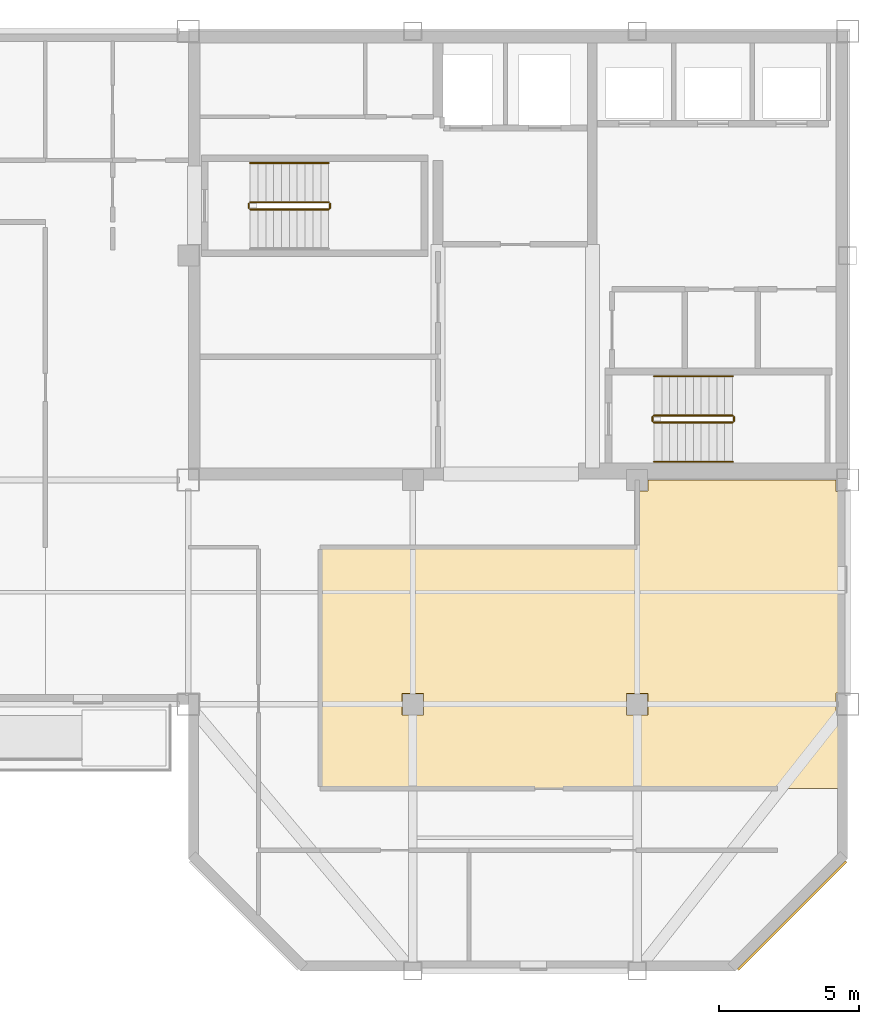
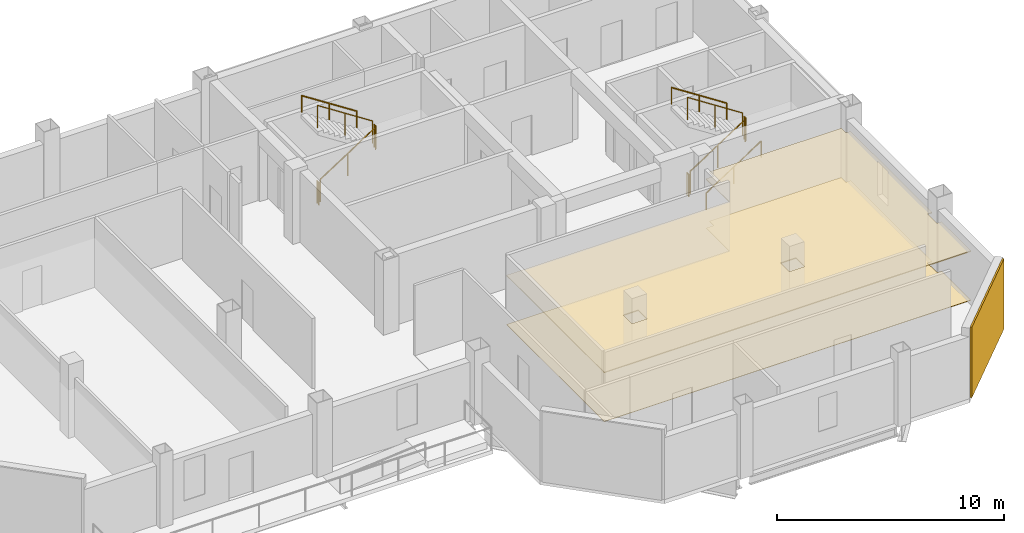
# One storey, part 6 of 7: 11 railings, 3 coverings.
"""IFC4 building model written with IfcOpenShell, lengths in metres."""

from ifc_helpers import new_model, si_unit, direction, frame, origin, origin_2d, place, context, subcontext, project, spatial, polyline, rectangle, circle, outline, extrude, material, layer, layer_set, type_object, element, save


model = new_model("IFC4")

# Units and contexts
model_context = context("Model", 3, precision=1e-05, world=origin(), true_north=direction((0.0, 1.0)))
body_context = subcontext(model_context, "Body", "Model", "MODEL_VIEW")
ifc_project = project(units=[si_unit("LENGTHUNIT", "METRE"), si_unit("AREAUNIT", "SQUARE_METRE"), si_unit("VOLUMEUNIT", "CUBIC_METRE"), si_unit("PLANEANGLEUNIT", "RADIAN"), si_unit("MASSUNIT", "GRAM", prefix="KILO")], contexts=[model_context])

# Site, building, storey
site_placement = place(None, origin())
site = spatial("IfcSite", under=ifc_project, at=site_placement, CompositionType="ELEMENT")
building_placement = place(site_placement, origin())
building = spatial("IfcBuilding", under=site, at=building_placement, Name="Qianrong Seaharbour Tower", CompositionType="ELEMENT")
storey_placement = place(building_placement, frame((0.0, 0.0, 323.199951171875)))
storey = spatial("IfcBuildingStorey", under=building, at=storey_placement, Name="L78", CompositionType="ELEMENT", Elevation=323.199951171875)

# Coverings
ifc_material_1 = material(Name="Perforated acoustic gypsum ceiling board")
ifc_layer_1 = layer(ifc_material_1, 0.050048828125)
ifc_layer_set_1 = layer_set([ifc_layer_1], Name="Perforated acoustic gypsum ceiling board")
covering_type_1 = type_object("IfcCoveringType", Name="COV-CEIL-GYPSUM-50", PredefinedType="CEILING", material=ifc_layer_set_1)
covering_1_placement = place(storey_placement, frame((0.0, 0.0, 2.614990234375)))
element("IfcCovering", 1, at=covering_1_placement, inside=storey, type_object=covering_type_1, Name="L78 Staff Club Assembly Hall Acoustic Ceiling", PredefinedType="CEILING", context=body_context, shape_type="SweptSolid", body=[
    extrude(outline(polyline([(56.5, 33.60009765625), (56.5, 35.614990234375), (56.885009765625, 35.614990234375), (56.885009765625, 36.0), (63.590087890625, 36.0), (63.590087890625, 35.590087890625), (63.824951171875, 35.590087890625), (63.824951171875, 28.409912109375), (63.590087890625, 28.409912109375), (63.590087890625, 27.590087890625), (63.824951171875, 27.590087890625), (63.824951171875, 25.0), (45.199951171875, 25.0), (45.199951171875, 33.60009765625), (56.5, 33.60009765625)]), holes=[polyline([(56.885009765625, 27.614990234375), (56.885009765625, 28.385009765625), (56.114990234375, 28.385009765625), (56.114990234375, 27.614990234375), (56.885009765625, 27.614990234375)]), polyline([(48.885009765625, 28.385009765625), (48.114990234375, 28.385009765625), (48.114990234375, 27.614990234375), (48.885009765625, 27.614990234375), (48.885009765625, 28.385009765625)])]), origin(), (0.0, 0.0, 1.0), 0.050048828125),
])
ifc_material_2 = material(Name="Unitised red brick cladding on Precast concrete C45/55", Category="masonry")
ifc_layer_2 = layer(ifc_material_2, 0.080078125)
ifc_layer_set_2 = layer_set([ifc_layer_2], Name="Unitised red brick cladding on Precast concrete C45/55")
covering_type_2 = type_object("IfcCoveringType", Name="COV-CLAD-RED-BRICK-80", PredefinedType="CLADDING", material=ifc_layer_set_2)
covering_2_placement = place(storey_placement, frame((62.0283203125, 20.4716796875, 0.0), z_axis=(0.0, 0.0, 1.0), x_axis=(-0.707106781187, -0.707106781187, 0.0)))
element("IfcCovering", 2, at=covering_2_placement, inside=storey, type_object=covering_type_2, Name="L78 Chamfer Corner Brick Cladding 07", PredefinedType="CLADDING", context=body_context, shape_type="SweptSolid", body=[
    extrude(rectangle(XDim=5.456787109375, YDim=0.080078125, at=origin_2d()), origin(), (0.0, 0.0, 1.0), 3.784912109375),
])
ifc_material_3 = material(Name="Acoustic modular carpet tile flooring")
ifc_layer_3 = layer(ifc_material_3, 0.02001953125)
ifc_layer_set_3 = layer_set([ifc_layer_3], Name="Acoustic modular carpet tile flooring")
covering_type_3 = type_object("IfcCoveringType", Name="COV-FLOOR-CARPET-20", PredefinedType="FLOORING", material=ifc_layer_set_3)
covering_3_placement = place(storey_placement, origin())
element("IfcCovering", 3, at=covering_3_placement, inside=storey, type_object=covering_type_3, Name="L78 Staff Club Assembly Hall Finish Flooring", PredefinedType="FLOORING", context=body_context, shape_type="SweptSolid", body=[
    extrude(outline(polyline([(56.5, 33.60009765625), (56.5, 35.614990234375), (56.885009765625, 35.614990234375), (56.885009765625, 36.0), (63.590087890625, 36.0), (63.590087890625, 35.590087890625), (63.824951171875, 35.590087890625), (63.824951171875, 28.409912109375), (63.590087890625, 28.409912109375), (63.590087890625, 27.590087890625), (63.824951171875, 27.590087890625), (63.824951171875, 25.0), (45.199951171875, 25.0), (45.199951171875, 33.60009765625), (56.5, 33.60009765625)])), origin(), (0.0, 0.0, 1.0), 0.02001953125),
])

# Railings
ifc_material_4 = material(Name="Galvanized painted steel SN400B stair guard", Category="steel")
railing_type_1 = type_object("IfcRailingType", Name="RAIL-STAIR-GUARD-1220", PredefinedType="GUARDRAIL", material=ifc_material_4)
railing_1_placement = place(storey_placement, frame((42.699951171875, 45.64990234375, 0.181884765625)))
element("IfcRailing", 4, at=railing_1_placement, inside=storey, type_object=railing_type_1, Name="L78 ST-1 stair guard 1", PredefinedType="GUARDRAIL", context=body_context, shape_type="SweptSolid", body=[
    extrude(circle(Radius=0.02392578125, at=origin_2d()), frame((0.0, 0.0, 1.19580078125), z_axis=(0.838705829183, 0.0, 0.544584733623), x_axis=(0.0, 1.0, 0.0)), (0.0, 0.0, 1.0), 3.338623046875),
    extrude(circle(Radius=0.02099609375, at=origin_2d()), origin(), (0.0, 0.0, 1.0), 1.171875),
    extrude(circle(Radius=0.02099609375, at=origin_2d()), frame((1.39990234375, 0.0, 0.9091796875)), (0.0, 0.0, 1.0), 1.171875),
    extrude(circle(Radius=0.02099609375, at=origin_2d()), frame((2.800048828125, 0.0, 1.818115234375)), (0.0, 0.0, 1.0), 1.171875),
])
railing_2_placement = place(storey_placement, frame((45.550048828125, 45.699951171875, 2.0)))
element("IfcRailing", 5, at=railing_2_placement, inside=storey, type_object=railing_type_1, Name="L78 ST-1 stair guard 2", PredefinedType="GUARDRAIL", context=body_context, shape_type="SweptSolid", body=[
    extrude(circle(Radius=0.02392578125, at=origin_2d()), frame((0.0, 0.0, 1.19580078125), z_axis=(0.0, 1.0, 0.0), x_axis=(-1.0, 0.0, 0.0)), (0.0, 0.0, 1.0), 0.150146484375),
    extrude(circle(Radius=0.02099609375, at=origin_2d()), origin(), (0.0, 0.0, 1.0), 1.171875),
    extrude(circle(Radius=0.02099609375, at=origin_2d()), frame((0.0, 0.150146484375, 0.0)), (0.0, 0.0, 1.0), 1.171875),
])
railing_3_placement = place(storey_placement, frame((45.5, 45.89990234375, 2.181884765625)))
element("IfcRailing", 6, at=railing_3_placement, inside=storey, type_object=railing_type_1, Name="L78 ST-1 stair guard 3", PredefinedType="GUARDRAIL", context=body_context, shape_type="SweptSolid", body=[
    extrude(circle(Radius=0.02392578125, at=origin_2d()), frame((0.0, 0.0, 1.19580078125), z_axis=(-0.838705829183, 0.0, 0.544584733623), x_axis=(0.0, -1.0, 0.0)), (0.0, 0.0, 1.0), 3.338623046875),
    extrude(circle(Radius=0.02099609375, at=origin_2d()), origin(), (0.0, 0.0, 1.0), 1.171875),
    extrude(circle(Radius=0.02099609375, at=origin_2d()), frame((-1.39990234375, 0.0, 0.9091796875)), (0.0, 0.0, 1.0), 1.171875),
    extrude(circle(Radius=0.02099609375, at=origin_2d()), frame((-2.800048828125, 0.0, 1.818115234375)), (0.0, 0.0, 1.0), 1.171875),
])
railing_4_placement = place(storey_placement, frame((42.64990234375, 45.699951171875, 0.0)))
element("IfcRailing", 7, at=railing_4_placement, inside=storey, type_object=railing_type_1, Name="L78 ST-1 stair guard 4", PredefinedType="GUARDRAIL", context=body_context, shape_type="SweptSolid", body=[
    extrude(circle(Radius=0.02392578125, at=origin_2d()), frame((0.0, 0.0, 1.19580078125), z_axis=(0.0, 1.0, 0.0), x_axis=(-1.0, 0.0, 0.0)), (0.0, 0.0, 1.0), 0.150146484375),
    extrude(circle(Radius=0.02099609375, at=origin_2d()), origin(), (0.0, 0.0, 1.0), 1.171875),
    extrude(circle(Radius=0.02099609375, at=origin_2d()), frame((0.0, 0.150146484375, 0.0)), (0.0, 0.0, 1.0), 1.171875),
])
railing_5_placement = place(storey_placement, frame((57.10009765625, 38.050048828125, 0.181884765625)))
element("IfcRailing", 8, at=railing_5_placement, inside=storey, type_object=railing_type_1, Name="L78 ST-2 stair guard 1", PredefinedType="GUARDRAIL", context=body_context, shape_type="SweptSolid", body=[
    extrude(circle(Radius=0.02392578125, at=origin_2d()), frame((0.0, 0.0, 1.19580078125), z_axis=(0.83868413941, 0.0, 0.544618136222), x_axis=(0.0, 1.0, 0.0)), (0.0, 0.0, 1.0), 3.33837890625),
    extrude(circle(Radius=0.02099609375, at=origin_2d()), origin(), (0.0, 0.0, 1.0), 1.171875),
    extrude(circle(Radius=0.02099609375, at=origin_2d()), frame((1.39990234375, 0.0, 0.9091796875)), (0.0, 0.0, 1.0), 1.171875),
    extrude(circle(Radius=0.02099609375, at=origin_2d()), frame((2.7998046875, 0.0, 1.818115234375)), (0.0, 0.0, 1.0), 1.171875),
])
railing_6_placement = place(storey_placement, frame((59.949951171875, 38.10009765625, 2.0)))
element("IfcRailing", 9, at=railing_6_placement, inside=storey, type_object=railing_type_1, Name="L78 ST-2 stair guard 2", PredefinedType="GUARDRAIL", context=body_context, shape_type="SweptSolid", body=[
    extrude(circle(Radius=0.02392578125, at=origin_2d()), frame((0.0, 0.0, 1.19580078125), z_axis=(0.0, 1.0, 0.0), x_axis=(-1.0, 0.0, 0.0)), (0.0, 0.0, 1.0), 0.14990234375),
    extrude(circle(Radius=0.02099609375, at=origin_2d()), origin(), (0.0, 0.0, 1.0), 1.171875),
    extrude(circle(Radius=0.02099609375, at=origin_2d()), frame((0.0, 0.14990234375, 0.0)), (0.0, 0.0, 1.0), 1.171875),
])
railing_7_placement = place(storey_placement, frame((59.89990234375, 38.300048828125, 2.181884765625)))
element("IfcRailing", 10, at=railing_7_placement, inside=storey, type_object=railing_type_1, Name="L78 ST-2 stair guard 3", PredefinedType="GUARDRAIL", context=body_context, shape_type="SweptSolid", body=[
    extrude(circle(Radius=0.02392578125, at=origin_2d()), frame((0.0, 0.0, 1.19580078125), z_axis=(-0.83868413941, 0.0, 0.544618136222), x_axis=(0.0, -1.0, 0.0)), (0.0, 0.0, 1.0), 3.33837890625),
    extrude(circle(Radius=0.02099609375, at=origin_2d()), origin(), (0.0, 0.0, 1.0), 1.171875),
    extrude(circle(Radius=0.02099609375, at=origin_2d()), frame((-1.39990234375, 0.0, 0.9091796875)), (0.0, 0.0, 1.0), 1.171875),
    extrude(circle(Radius=0.02099609375, at=origin_2d()), frame((-2.7998046875, 0.0, 1.818115234375)), (0.0, 0.0, 1.0), 1.171875),
])
railing_8_placement = place(storey_placement, frame((57.050048828125, 38.10009765625, 0.0)))
element("IfcRailing", 11, at=railing_8_placement, inside=storey, type_object=railing_type_1, Name="L78 ST-2 stair guard 4", PredefinedType="GUARDRAIL", context=body_context, shape_type="SweptSolid", body=[
    extrude(circle(Radius=0.02392578125, at=origin_2d()), frame((0.0, 0.0, 1.19580078125), z_axis=(0.0, 1.0, 0.0), x_axis=(-1.0, 0.0, 0.0)), (0.0, 0.0, 1.0), 0.14990234375),
    extrude(circle(Radius=0.02099609375, at=origin_2d()), origin(), (0.0, 0.0, 1.0), 1.171875),
    extrude(circle(Radius=0.02099609375, at=origin_2d()), frame((0.0, 0.14990234375, 0.0)), (0.0, 0.0, 1.0), 1.171875),
])
ifc_material_5 = material(Name="Stainless steel SUS316L continuous handrail", Category="steel")
railing_type_2 = type_object("IfcRailingType", Name="RAIL-STAIR-HANDRAIL-900", PredefinedType="HANDRAIL", material=ifc_material_5)
railing_9_placement = place(storey_placement, frame((45.5, 47.300048828125, 2.181884765625)))
element("IfcRailing", 12, at=railing_9_placement, inside=storey, type_object=railing_type_2, Name="L78 ST-1 stair handrail 2", PredefinedType="HANDRAIL", context=body_context, shape_type="SweptSolid", body=[
    extrude(circle(Radius=0.02392578125, at=origin_2d()), frame((0.0, 0.0, 0.8759765625), z_axis=(-0.838705829183, 0.0, 0.544584733623), x_axis=(0.0, -1.0, 0.0)), (0.0, 0.0, 1.0), 3.338623046875),
    extrude(circle(Radius=0.02099609375, at=origin_2d()), origin(), (0.0, 0.0, 1.0), 0.851806640625),
    extrude(circle(Radius=0.02099609375, at=origin_2d()), frame((-1.39990234375, 0.0, 0.9091796875)), (0.0, 0.0, 1.0), 0.851806640625),
    extrude(circle(Radius=0.02099609375, at=origin_2d()), frame((-2.800048828125, 0.0, 1.818115234375)), (0.0, 0.0, 1.0), 0.851806640625),
])
railing_10_placement = place(storey_placement, frame((57.10009765625, 36.64990234375, 0.181884765625)))
element("IfcRailing", 13, at=railing_10_placement, inside=storey, type_object=railing_type_2, Name="L78 ST-2 stair handrail 1", PredefinedType="HANDRAIL", context=body_context, shape_type="SweptSolid", body=[
    extrude(circle(Radius=0.02392578125, at=origin_2d()), frame((0.0, 0.0, 0.8759765625), z_axis=(0.83868413941, 0.0, 0.544618136222), x_axis=(0.0, 1.0, 0.0)), (0.0, 0.0, 1.0), 3.33837890625),
    extrude(circle(Radius=0.02099609375, at=origin_2d()), origin(), (0.0, 0.0, 1.0), 0.851806640625),
    extrude(circle(Radius=0.02099609375, at=origin_2d()), frame((1.39990234375, 0.0, 0.9091796875)), (0.0, 0.0, 1.0), 0.851806640625),
    extrude(circle(Radius=0.02099609375, at=origin_2d()), frame((2.7998046875, 0.0, 1.818115234375)), (0.0, 0.0, 1.0), 0.851806640625),
])
railing_11_placement = place(storey_placement, frame((59.89990234375, 39.699951171875, 2.181884765625)))
element("IfcRailing", 14, at=railing_11_placement, inside=storey, type_object=railing_type_2, Name="L78 ST-2 stair handrail 2", PredefinedType="HANDRAIL", context=body_context, shape_type="SweptSolid", body=[
    extrude(circle(Radius=0.02392578125, at=origin_2d()), frame((0.0, 0.0, 0.8759765625), z_axis=(-0.83868413941, 0.0, 0.544618136222), x_axis=(0.0, -1.0, 0.0)), (0.0, 0.0, 1.0), 3.33837890625),
    extrude(circle(Radius=0.02099609375, at=origin_2d()), origin(), (0.0, 0.0, 1.0), 0.851806640625),
    extrude(circle(Radius=0.02099609375, at=origin_2d()), frame((-1.39990234375, 0.0, 0.9091796875)), (0.0, 0.0, 1.0), 0.851806640625),
    extrude(circle(Radius=0.02099609375, at=origin_2d()), frame((-2.7998046875, 0.0, 1.818115234375)), (0.0, 0.0, 1.0), 0.851806640625),
])

save(model, "model.ifc")
